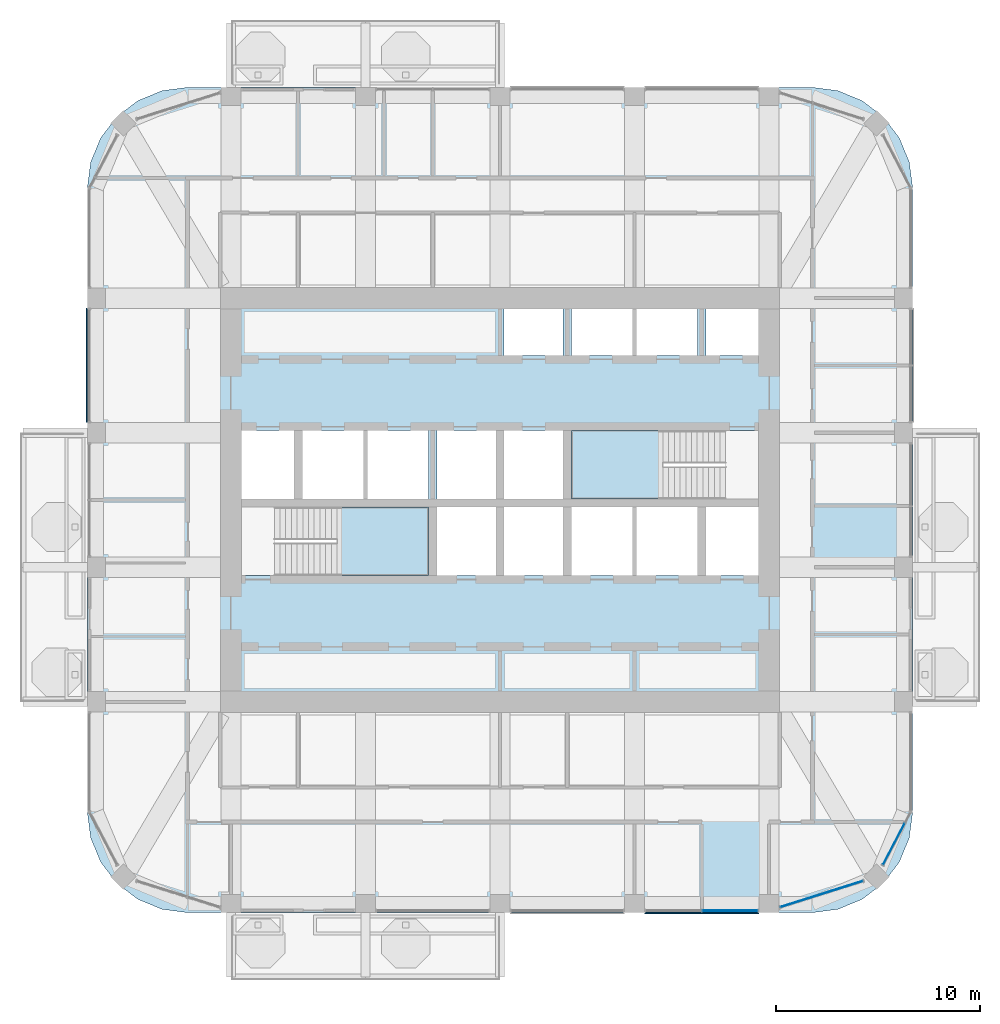
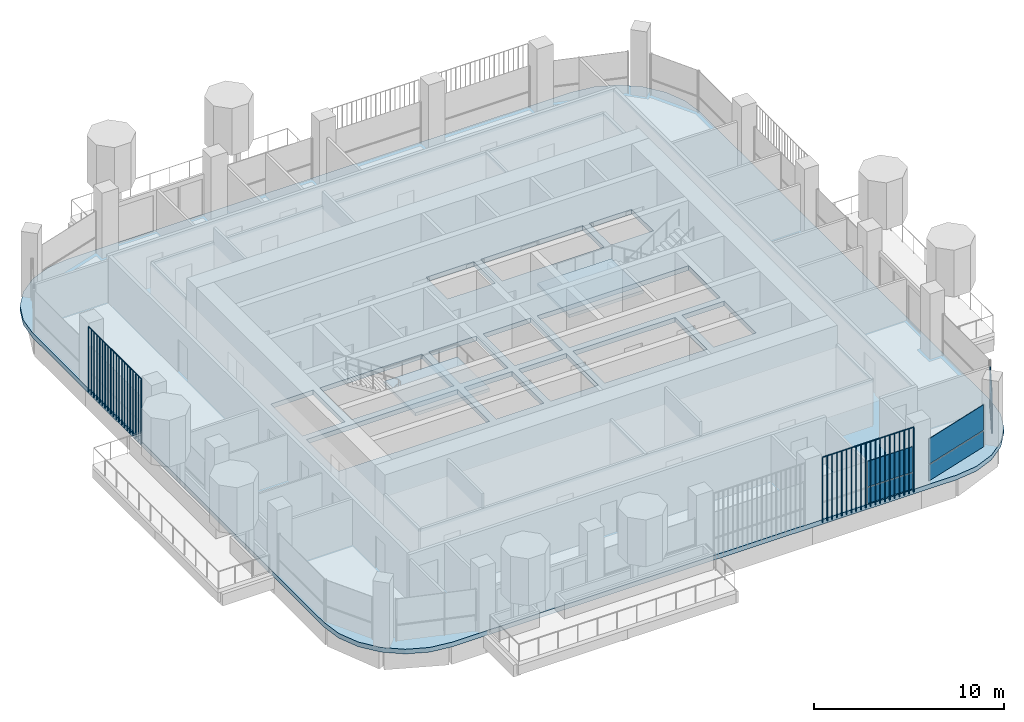
# One storey, part 9 of 20: 8 plates, 3 slabs, 5 elements without a shape of their own.
"""IFC4 building model written with IfcOpenShell, lengths in metres."""

import ifcopenshell
import ifcopenshell.guid

model = None  # the IFC model being written
_history = None  # IfcOwnerHistory: only IFC2X3 demands one
_inside = {}  # id of a spatial element -> (the spatial element, [elements in it])
_under = {}  # id of a project, library or spatial element -> (it, [spatial elements below it])
_declared = {}  # id of a project -> (the project, [libraries it declares])
_typed = {}  # id of a type object -> (the type object, [elements of that type])
_made_of = {}  # id of a material, layer set ... -> (it, [elements and type objects made of it])


def new_model(schema):
    """Start an empty IFC model of exactly this schema.

    Asked for "IFC4X3", IfcOpenShell would pick the latest addendum, in which some entities
    have other attributes; the version numbers below select the first issue.
    IFC2X3 requires an IfcOwnerHistory on every rooted entity: one is made here for all.
    """
    global model, _history
    if schema == "IFC4X3":
        model = ifcopenshell.file(schema_version=(4, 3, 0, 0))
    else:
        model = ifcopenshell.file(schema=schema)
    _inside.clear()
    _under.clear()
    _declared.clear()
    _typed.clear()
    _made_of.clear()
    _history = None
    if model.schema == "IFC2X3":
        org = make("IfcOrganization", Name="unknown")
        user = make(
            "IfcPersonAndOrganization",
            ThePerson=make("IfcPerson", FamilyName="unknown"),
            TheOrganization=org,
        )
        app = make(
            "IfcApplication",
            ApplicationDeveloper=org,
            Version="unknown",
            ApplicationFullName="unknown",
            ApplicationIdentifier="unknown",
        )
        _history = make(
            "IfcOwnerHistory",
            OwningUser=user,
            OwningApplication=app,
            ChangeAction="ADDED",
            CreationDate=0,
        )
    return model


def make(cls, **values):
    """One entity of the class cls with the attributes given. An attribute that is None is left unset."""
    return model.create_entity(
        cls, **{name: value for name, value in values.items() if value is not None}
    )


def rooted(cls, **values):
    """An entity with a GlobalId (a new one), such as an element, a storey or a relation."""
    return make(cls, GlobalId=ifcopenshell.guid.new(), OwnerHistory=_history, **values)


def si_unit(unit_type, name, prefix=None):
    """IfcSIUnit, for example si_unit("LENGTHUNIT", "METRE", prefix="MILLI")."""
    return make("IfcSIUnit", UnitType=unit_type, Prefix=prefix, Name=name)


def assignment(units):
    """IfcUnitAssignment: the units of a project."""
    return None if units is None else make("IfcUnitAssignment", Units=units)


def point(xyz):
    """IfcCartesianPoint."""
    return None if xyz is None else make("IfcCartesianPoint", Coordinates=xyz)


def direction(xyz):
    """IfcDirection."""
    return None if xyz is None else make("IfcDirection", DirectionRatios=xyz)


def frame(location, z_axis=None, x_axis=None):
    """IfcAxis2Placement3D, a coordinate frame: its origin and axes. An axis left out is left unset."""
    return make(
        "IfcAxis2Placement3D",
        Location=point(location),
        Axis=direction(z_axis),
        RefDirection=direction(x_axis),
    )


def frame_2d(location, x_axis=None):
    """IfcAxis2Placement2D, a coordinate frame in the plane: its origin and x axis."""
    return make(
        "IfcAxis2Placement2D", Location=point(location), RefDirection=direction(x_axis)
    )


def origin():
    """The frame at (0, 0, 0) with its axes left unset."""
    return frame((0.0, 0.0, 0.0))


def origin_2d():
    """The frame at (0, 0) in the plane with its x axis left unset."""
    return frame_2d((0.0, 0.0))


def place(relative_to, where):
    """IfcLocalPlacement: puts the frame where relative to a parent placement (None: the world)."""
    return make(
        "IfcLocalPlacement", PlacementRelTo=relative_to, RelativePlacement=where
    )


def context(
    kind, dimensions, precision=None, world=None, true_north=None, identifier=None
):
    """IfcGeometricRepresentationContext, for example the 3D "Model" context."""
    return make(
        "IfcGeometricRepresentationContext",
        ContextIdentifier=identifier,
        ContextType=kind,
        CoordinateSpaceDimension=dimensions,
        Precision=precision,
        WorldCoordinateSystem=world,
        TrueNorth=true_north,
    )


def subcontext(parent, identifier, kind, view, scale=None):
    """IfcGeometricRepresentationSubContext, for example "Body" below "Model"."""
    return make(
        "IfcGeometricRepresentationSubContext",
        ContextIdentifier=identifier,
        ContextType=kind,
        ParentContext=parent,
        TargetScale=scale,
        TargetView=view,
    )


def project(units=None, contexts=None):
    """IfcProject with its units and contexts."""
    return rooted(
        "IfcProject",
        Name="project",
        RepresentationContexts=contexts,
        UnitsInContext=assignment(units),
    )


def spatial(cls, under=None, at=None, **own):
    """A site, building, storey or space (cls), placed at a placement, below another one or the project."""
    s = rooted(cls, ObjectPlacement=at, **own)
    if under is not None:
        _under.setdefault(under.id(), (under, []))[1].append(s)
    return s


def polyline(points):
    """IfcPolyline through the points."""
    return make("IfcPolyline", Points=[point(p) for p in points])


def profile(cls, at=None, kind="AREA", **sizes):
    """A parametric profile (cls). Its sizes go by their IFC names, for example OverallWidth=200.0."""
    return make(cls, ProfileType=kind, Position=at, **sizes)


def rectangle(**sizes):
    """IfcRectangleProfileDef."""
    return profile("IfcRectangleProfileDef", **sizes)


def outline(outer, holes=None, kind="AREA"):
    """IfcArbitraryClosedProfileDef: a profile drawn as a closed curve; with holes, ...WithVoids."""
    if holes is None:
        return make("IfcArbitraryClosedProfileDef", ProfileType=kind, OuterCurve=outer)
    return make(
        "IfcArbitraryProfileDefWithVoids",
        ProfileType=kind,
        OuterCurve=outer,
        InnerCurves=holes,
    )


def extrude(swept, where, along, depth):
    """IfcExtrudedAreaSolid: the profile swept, set in the frame where, extruded along a direction by depth."""
    return make(
        "IfcExtrudedAreaSolid",
        SweptArea=swept,
        Position=where,
        ExtrudedDirection=direction(along),
        Depth=depth,
    )


def shape(context_of_items, identifier, shape_type, items):
    """IfcShapeRepresentation: the items that make up one representation, for example the "Body"."""
    return make(
        "IfcShapeRepresentation",
        ContextOfItems=context_of_items,
        RepresentationIdentifier=identifier,
        RepresentationType=shape_type,
        Items=items,
    )


def material(Name=None, Category=None):
    """IfcMaterial."""
    return make("IfcMaterial", Name=Name, Category=Category)


def layer(
    of_material, thickness, ventilated=None, Name=None, Category=None, Priority=None
):
    """IfcMaterialLayer: one layer of a wall or slab, of a material (None: an air gap)."""
    return make(
        "IfcMaterialLayer",
        Material=of_material,
        LayerThickness=thickness,
        IsVentilated=ventilated,
        Name=Name,
        Category=Category,
        Priority=Priority,
    )


def layer_set(layers, Name=None):
    """IfcMaterialLayerSet."""
    return make("IfcMaterialLayerSet", MaterialLayers=layers, LayerSetName=Name)


def made_of(thing, what):
    """Note that an element or type object is made of a material, layer set ...; save() writes the relation."""
    if what is not None:
        _made_of.setdefault(what.id(), (what, []))[1].append(thing)
    return thing


def type_object(cls, material=None, **own):
    """A type object (cls), such as IfcWallType, which elements share."""
    return made_of(rooted(cls, **own), material)


def element(
    cls,
    number,
    at=None,
    inside=None,
    cuts=None,
    type_object=None,
    material=None,
    context=None,
    identifier="Body",
    shape_type=None,
    held_by="IfcProductDefinitionShape",
    body=None,
    shapes=None,
    **own,
):
    """One element of the class cls, such as IfcWall. Its Tag is "e" and its number.

    at: its placement. inside: the storey or other place that contains it. cuts: it is an
    opening in that element (IfcRelVoidsElement). A single representation is given by context,
    identifier, shape_type and body (its items); several are given by shapes. held_by: the class
    of the entity that holds the representations. save() writes the other relations.
    """
    e = rooted(cls, Tag="e%d" % number, ObjectPlacement=at, **own)
    if body is not None:
        shapes = [shape(context, identifier, shape_type, body)]
    if shapes is not None:
        e.Representation = make(held_by, Representations=shapes)
    if inside is not None:
        _inside.setdefault(inside.id(), (inside, []))[1].append(e)
    if cuts is not None:
        rooted(
            "IfcRelVoidsElement", RelatingBuildingElement=cuts, RelatedOpeningElement=e
        )
    if type_object is not None:
        _typed.setdefault(type_object.id(), (type_object, []))[1].append(e)
    return made_of(e, material)


def aggregate(whole, parts):
    """IfcRelAggregates: a whole, such as a stair, and the parts it consists of."""
    return rooted("IfcRelAggregates", RelatingObject=whole, RelatedObjects=parts)


def save(model, path):
    """Write the relations noted so far, then the file.

    IfcRelAggregates (storeys below a building ...), IfcRelContainedInSpatialStructure (elements
    in a storey), IfcRelDefinesByType, IfcRelAssociatesMaterial and IfcRelDeclares: one each for
    every whole, place, type object, material and project.
    """
    for whole, parts in _under.values():
        aggregate(whole, parts)
    for where, things in _inside.values():
        rooted(
            "IfcRelContainedInSpatialStructure",
            RelatedElements=things,
            RelatingStructure=where,
        )
    for kind, things in _typed.values():
        rooted("IfcRelDefinesByType", RelatedObjects=things, RelatingType=kind)
    for what, things in _made_of.values():
        rooted("IfcRelAssociatesMaterial", RelatedObjects=things, RelatingMaterial=what)
    for by, libraries in _declared.values():
        rooted("IfcRelDeclares", RelatingContext=by, RelatedDefinitions=libraries)
    model.write(path)


model = new_model("IFC4")

# Units and contexts
model_context = context("Model", 3, precision=1e-05, world=origin(), true_north=direction((0.0, 1.0)))
body_context = subcontext(model_context, "Body", "Model", "MODEL_VIEW")
ifc_project = project(units=[si_unit("LENGTHUNIT", "METRE"), si_unit("AREAUNIT", "SQUARE_METRE"), si_unit("VOLUMEUNIT", "CUBIC_METRE"), si_unit("PLANEANGLEUNIT", "RADIAN"), si_unit("MASSUNIT", "GRAM", prefix="KILO")], contexts=[model_context])

# Site, building, storey
site_placement = place(None, origin())
site = spatial("IfcSite", under=ifc_project, at=site_placement, CompositionType="ELEMENT")
building_placement = place(site_placement, origin())
building = spatial("IfcBuilding", under=site, at=building_placement, Name="Cobogo Forest Laboratory Tower", CompositionType="ELEMENT")
storey_placement = place(building_placement, frame((0.0, 0.0, 279.60009765625)))
storey = spatial("IfcBuildingStorey", under=building, at=storey_placement, Name="L64", CompositionType="ELEMENT", Elevation=279.60009765625)

# Slab
ifc_material_1 = material(Name="Concrete HA-40 (C40/50)", Category="concrete")
ifc_layer_1 = layer(ifc_material_1, 0.300048828125)
ifc_layer_set_1 = layer_set([ifc_layer_1], Name="Floor slab 300")
slab_type_1 = type_object("IfcSlabType", Name="Floor slab 300", PredefinedType="FLOOR", material=ifc_layer_set_1)
slab_1_placement = place(storey_placement, frame((0.0, 0.0, -0.300048828125)))
element("IfcSlab", 1, at=slab_1_placement, inside=storey, type_object=slab_type_1, Name="L64 floor slab", PredefinedType="FLOOR", context=body_context, shape_type="SweptSolid", body=[
    extrude(outline(polyline([(41.699951171875, 2.85009765625), (42.981201171875, 3.0185546875), (44.175048828125, 3.51318359375), (45.2001953125, 4.2998046875), (45.98681640625, 5.324951171875), (46.4814453125, 6.518798828125), (46.64990234375, 7.800048828125), (46.64990234375, 38.39990234375), (46.4814453125, 39.68115234375), (45.98681640625, 40.875), (45.2001953125, 41.900146484375), (44.175048828125, 42.686767578125), (42.981201171875, 43.181396484375), (41.699951171875, 43.35009765625), (11.10009765625, 43.35009765625), (9.81884765625, 43.181396484375), (8.625, 42.686767578125), (7.599853515625, 41.900146484375), (6.813232421875, 40.875), (6.318603515625, 39.68115234375), (6.14990234375, 38.39990234375), (6.14990234375, 7.800048828125), (6.318603515625, 6.518798828125), (6.813232421875, 5.324951171875), (7.599853515625, 4.2998046875), (8.625, 3.51318359375), (9.81884765625, 3.0185546875), (11.10009765625, 2.85009765625), (41.699951171875, 2.85009765625)]), holes=[polyline([(22.89990234375, 19.39990234375), (13.72509765625, 19.39990234375), (13.72509765625, 22.75), (22.89990234375, 22.75), (22.89990234375, 19.39990234375)]), polyline([(26.199951171875, 19.39990234375), (23.300048828125, 19.39990234375), (23.300048828125, 22.75), (26.199951171875, 22.75), (26.199951171875, 19.39990234375)]), polyline([(29.5, 19.39990234375), (26.60009765625, 19.39990234375), (26.60009765625, 22.75), (29.5, 22.75), (29.5, 19.39990234375)]), polyline([(36.10009765625, 22.75), (36.10009765625, 19.39990234375), (29.89990234375, 19.39990234375), (29.89990234375, 22.75), (36.10009765625, 22.75)]), polyline([(39.074951171875, 19.39990234375), (36.5, 19.39990234375), (36.5, 22.75), (39.074951171875, 22.75), (39.074951171875, 19.39990234375)]), polyline([(16.300048828125, 23.14990234375), (13.72509765625, 23.14990234375), (13.72509765625, 26.5), (16.300048828125, 26.5), (16.300048828125, 23.14990234375)]), polyline([(22.89990234375, 26.5), (22.89990234375, 23.14990234375), (16.699951171875, 23.14990234375), (16.699951171875, 26.5), (22.89990234375, 26.5)]), polyline([(26.199951171875, 23.14990234375), (23.300048828125, 23.14990234375), (23.300048828125, 26.5), (26.199951171875, 26.5), (26.199951171875, 23.14990234375)]), polyline([(29.5, 23.14990234375), (26.60009765625, 23.14990234375), (26.60009765625, 26.5), (29.5, 26.5), (29.5, 23.14990234375)]), polyline([(39.074951171875, 23.14990234375), (29.89990234375, 23.14990234375), (29.89990234375, 26.5), (39.074951171875, 26.5), (39.074951171875, 23.14990234375)]), polyline([(29.5, 30.199951171875), (26.60009765625, 30.199951171875), (26.60009765625, 32.47509765625), (29.5, 32.47509765625), (29.5, 30.199951171875)]), polyline([(36.10009765625, 32.47509765625), (36.10009765625, 30.199951171875), (29.89990234375, 30.199951171875), (29.89990234375, 32.47509765625), (36.10009765625, 32.47509765625)]), polyline([(39.074951171875, 30.199951171875), (36.5, 30.199951171875), (36.5, 32.47509765625), (39.074951171875, 32.47509765625), (39.074951171875, 30.199951171875)])]), origin(), (0.0, 0.0, 1.0), 0.300048828125),
])

# Curtain wall, plates
ifc_material_2 = material(Name="Aluminium curtain wall", Category="aluminium")
curtain_wall_type = type_object("IfcCurtainWallType", Name="CW-2 unitised curtain wall, solar control glazing, laboratory floors zones C and D", PredefinedType="USERDEFINED", material=ifc_material_2)
curtain_wall_1_placement = place(storey_placement, origin())
curtain_wall_1 = element("IfcCurtainWall", 2, at=curtain_wall_1_placement, inside=storey, type_object=curtain_wall_type, Name="Curtain wall 04 L64", ObjectType="UNITISED CURTAIN WALL", PredefinedType="USERDEFINED")
ifc_material_3 = material(Name="Solar control insulated glass", Category="glass")
ifc_layer_2 = layer(ifc_material_3, 0.031982421875)
ifc_layer_set_2 = layer_set([ifc_layer_2], Name="GP-2 solar control glass unit 32")
plate_type_1 = type_object("IfcPlateType", Name="GP-2 solar control glass unit 32", PredefinedType="CURTAIN_PANEL", material=ifc_layer_set_2)
plate_1_placement = place(storey_placement, frame((37.68505859375, 2.949951171875, 0.0), z_axis=(0.0, 0.0, 1.0), x_axis=(1.0, 0.0, 0.0)))
plate_1 = element("IfcPlate", 3, at=plate_1_placement, type_object=plate_type_1, Name="CW-2 panel 2.1", PredefinedType="CURTAIN_PANEL", context=body_context, shape_type="SweptSolid", body=[
    extrude(rectangle(XDim=2.7099609375, YDim=0.031982421875, at=origin_2d()), origin(), (0.0, 0.0, 1.0), 1.02001953125),
])
plate_2_placement = place(storey_placement, frame((37.68505859375, 2.949951171875, 1.079833984375), z_axis=(0.0, 0.0, 1.0), x_axis=(1.0, 0.0, 0.0)))
plate_2 = element("IfcPlate", 4, at=plate_2_placement, type_object=plate_type_1, Name="CW-2 panel 2.2", PredefinedType="CURTAIN_PANEL", context=body_context, shape_type="SweptSolid", body=[
    extrude(rectangle(XDim=2.7099609375, YDim=0.031982421875, at=origin_2d()), origin(), (0.0, 0.0, 1.0), 1.6201171875),
])
aggregate(curtain_wall_1, [plate_1, plate_2])

curtain_wall_2_placement = place(storey_placement, origin())
curtain_wall_2 = element("IfcCurtainWall", 5, at=curtain_wall_2_placement, inside=storey, type_object=curtain_wall_type, Name="Curtain wall 05 L64", ObjectType="UNITISED CURTAIN WALL", PredefinedType="USERDEFINED")
plate_3_placement = place(storey_placement, frame((42.17919921875, 3.7646484375, 0.0), z_axis=(0.0, 0.0, 1.0), x_axis=(0.953581379409, 0.301135439371, 0.0)))
plate_3 = element("IfcPlate", 6, at=plate_3_placement, type_object=plate_type_1, Name="CW-2 panel 1.1", PredefinedType="CURTAIN_PANEL", context=body_context, shape_type="SweptSolid", body=[
    extrude(rectangle(XDim=4.240966796875, YDim=0.031982421875, at=origin_2d()), origin(), (0.0, 0.0, 1.0), 1.02001953125),
])
plate_4_placement = place(storey_placement, frame((42.17919921875, 3.7646484375, 1.079833984375), z_axis=(0.0, 0.0, 1.0), x_axis=(0.953581379409, 0.301135439371, 0.0)))
plate_4 = element("IfcPlate", 7, at=plate_4_placement, type_object=plate_type_1, Name="CW-2 panel 1.2", PredefinedType="CURTAIN_PANEL", context=body_context, shape_type="SweptSolid", body=[
    extrude(rectangle(XDim=4.240966796875, YDim=0.031982421875, at=origin_2d()), origin(), (0.0, 0.0, 1.0), 1.6201171875),
])
aggregate(curtain_wall_2, [plate_3, plate_4])

curtain_wall_3_placement = place(storey_placement, origin())
curtain_wall_3 = element("IfcCurtainWall", 8, at=curtain_wall_3_placement, inside=storey, type_object=curtain_wall_type, Name="Curtain wall 06 L64", ObjectType="UNITISED CURTAIN WALL", PredefinedType="USERDEFINED")
plate_5_placement = place(storey_placement, frame((45.72314453125, 6.222900390625, 0.0), z_axis=(0.0, 0.0, 1.0), x_axis=(0.464283778337, 0.885686498245, 0.0)))
plate_5 = element("IfcPlate", 9, at=plate_5_placement, type_object=plate_type_1, Name="CW-2 panel 1.1", PredefinedType="CURTAIN_PANEL", context=body_context, shape_type="SweptSolid", body=[
    extrude(rectangle(XDim=2.28857421875, YDim=0.031982421875, at=origin_2d()), origin(), (0.0, 0.0, 1.0), 1.02001953125),
])
plate_6_placement = place(storey_placement, frame((45.72314453125, 6.222900390625, 1.079833984375), z_axis=(0.0, 0.0, 1.0), x_axis=(0.464283778337, 0.885686498245, 0.0)))
plate_6 = element("IfcPlate", 10, at=plate_6_placement, type_object=plate_type_1, Name="CW-2 panel 1.2", PredefinedType="CURTAIN_PANEL", context=body_context, shape_type="SweptSolid", body=[
    extrude(rectangle(XDim=2.28857421875, YDim=0.031982421875, at=origin_2d()), origin(), (0.0, 0.0, 1.0), 1.6201171875),
])
aggregate(curtain_wall_3, [plate_5, plate_6])

# Stair, slab
ifc_material_4 = material(Name="Precast concrete HA-40 (C40/50)", Category="concrete")
stair_type = type_object("IfcStairType", Name="ST24 exit stair 24 risers", PredefinedType="HALF_TURN_STAIR", material=ifc_material_4)
stair_1_placement = place(storey_placement, origin())
stair_1 = element("IfcStair", 11, at=stair_1_placement, inside=storey, type_object=stair_type, Name="Stair 1 L64 to L65", PredefinedType="HALF_TURN_STAIR")
ifc_layer_3 = layer(ifc_material_1, 0.199951171875)
ifc_layer_set_3 = layer_set([ifc_layer_3], Name="SL stair landing 200")
slab_type_2 = type_object("IfcSlabType", Name="SL stair landing 200", PredefinedType="LANDING", material=ifc_layer_set_3)
slab_2_placement = place(storey_placement, frame((0.0, 0.0, 1.89990234375)))
slab_2 = element("IfcSlab", 12, at=slab_2_placement, type_object=slab_type_2, Name="ST1 landing 2", PredefinedType="LANDING", context=body_context, shape_type="SweptSolid", body=[
    extrude(outline(polyline([(18.403076171875, 19.39990234375), (22.89990234375, 19.39990234375), (22.89990234375, 22.75), (18.403076171875, 22.75), (18.403076171875, 19.39990234375)])), origin(), (0.0, 0.0, 1.0), 0.199951171875),
])
aggregate(stair_1, [slab_2])

stair_2_placement = place(storey_placement, origin())
stair_2 = element("IfcStair", 13, at=stair_2_placement, inside=storey, type_object=stair_type, Name="Stair 2 L64 to L65", PredefinedType="HALF_TURN_STAIR")
slab_3_placement = place(storey_placement, frame((0.0, 0.0, 1.89990234375)))
slab_3 = element("IfcSlab", 14, at=slab_3_placement, type_object=slab_type_2, Name="ST2 landing 2", PredefinedType="LANDING", context=body_context, shape_type="SweptSolid", body=[
    extrude(outline(polyline([(29.89990234375, 23.14990234375), (34.39697265625, 23.14990234375), (34.39697265625, 26.5), (29.89990234375, 26.5), (29.89990234375, 23.14990234375)])), origin(), (0.0, 0.0, 1.0), 0.199951171875),
])
aggregate(stair_2, [slab_3])

# Plates
ifc_material_5 = material(Name="Terracotta", Category="masonry")
plate_type_2 = type_object("IfcPlateType", Name="TB1 terracotta baguette screen", PredefinedType="USERDEFINED", material=ifc_material_5)
plate_7_placement = place(storey_placement, frame((33.53125, 2.822021484375, -0.150146484375)))
element("IfcPlate", 15, at=plate_7_placement, inside=storey, type_object=plate_type_2, Name="Baguette screen S4 L64", ObjectType="BAGUETTE SCREEN", PredefinedType="USERDEFINED", context=body_context, shape_type="SweptSolid", body=[
    extrude(outline(polyline([(0.02880859375, 0.011962890625), (0.011962890625, 0.02880859375), (-0.011962890625, 0.02880859375), (-0.02880859375, 0.011962890625), (-0.02880859375, -0.011962890625), (-0.011962890625, -0.02880859375), (0.011962890625, -0.02880859375), (0.02880859375, -0.011962890625), (0.02880859375, 0.011962890625)])), frame((0.0, 0.0, 4.168701171875), z_axis=(1.0, 0.0, 0.0), x_axis=(0.0, 1.0, 0.0)), (0.0, 0.0, 1.0), 5.53759765625),
    extrude(outline(polyline([(0.02880859375, 0.011962890625), (0.011962890625, 0.02880859375), (-0.011962890625, 0.02880859375), (-0.02880859375, 0.011962890625), (-0.02880859375, -0.011962890625), (-0.011962890625, -0.02880859375), (0.011962890625, -0.02880859375), (0.02880859375, -0.011962890625), (0.02880859375, 0.011962890625)])), origin(), (0.0, 0.0, 1.0), 4.137451171875),
    extrude(outline(polyline([(0.02880859375, 0.011962890625), (0.011962890625, 0.02880859375), (-0.011962890625, 0.02880859375), (-0.02880859375, 0.011962890625), (-0.02880859375, -0.011962890625), (-0.011962890625, -0.02880859375), (0.011962890625, -0.02880859375), (0.02880859375, -0.011962890625), (0.02880859375, 0.011962890625)])), frame((0.29150390625, 0.0, 0.0)), (0.0, 0.0, 1.0), 4.137451171875),
    extrude(outline(polyline([(0.02880859375, 0.011962890625), (0.011962890625, 0.02880859375), (-0.011962890625, 0.02880859375), (-0.02880859375, 0.011962890625), (-0.02880859375, -0.011962890625), (-0.011962890625, -0.02880859375), (0.011962890625, -0.02880859375), (0.02880859375, -0.011962890625), (0.02880859375, 0.011962890625)])), frame((0.5830078125, 0.0, 0.0)), (0.0, 0.0, 1.0), 4.137451171875),
    extrude(outline(polyline([(0.02880859375, 0.011962890625), (0.011962890625, 0.02880859375), (-0.011962890625, 0.02880859375), (-0.02880859375, 0.011962890625), (-0.02880859375, -0.011962890625), (-0.011962890625, -0.02880859375), (0.011962890625, -0.02880859375), (0.02880859375, -0.011962890625), (0.02880859375, 0.011962890625)])), frame((0.874267578125, 0.0, 0.0)), (0.0, 0.0, 1.0), 4.137451171875),
    extrude(outline(polyline([(0.02880859375, 0.011962890625), (0.011962890625, 0.02880859375), (-0.011962890625, 0.02880859375), (-0.02880859375, 0.011962890625), (-0.02880859375, -0.011962890625), (-0.011962890625, -0.02880859375), (0.011962890625, -0.02880859375), (0.02880859375, -0.011962890625), (0.02880859375, 0.011962890625)])), frame((1.165771484375, 0.0, 0.0)), (0.0, 0.0, 1.0), 4.137451171875),
    extrude(outline(polyline([(0.02880859375, 0.011962890625), (0.011962890625, 0.02880859375), (-0.011962890625, 0.02880859375), (-0.02880859375, 0.011962890625), (-0.02880859375, -0.011962890625), (-0.011962890625, -0.02880859375), (0.011962890625, -0.02880859375), (0.02880859375, -0.011962890625), (0.02880859375, 0.011962890625)])), frame((1.457275390625, 0.0, 0.0)), (0.0, 0.0, 1.0), 4.137451171875),
    extrude(outline(polyline([(0.02880859375, 0.011962890625), (0.011962890625, 0.02880859375), (-0.011962890625, 0.02880859375), (-0.02880859375, 0.011962890625), (-0.02880859375, -0.011962890625), (-0.011962890625, -0.02880859375), (0.011962890625, -0.02880859375), (0.02880859375, -0.011962890625), (0.02880859375, 0.011962890625)])), frame((1.748779296875, 0.0, 0.0)), (0.0, 0.0, 1.0), 4.137451171875),
    extrude(outline(polyline([(0.02880859375, 0.011962890625), (0.011962890625, 0.02880859375), (-0.011962890625, 0.02880859375), (-0.02880859375, 0.011962890625), (-0.02880859375, -0.011962890625), (-0.011962890625, -0.02880859375), (0.011962890625, -0.02880859375), (0.02880859375, -0.011962890625), (0.02880859375, 0.011962890625)])), frame((2.040283203125, 0.0, 0.0)), (0.0, 0.0, 1.0), 4.137451171875),
    extrude(outline(polyline([(0.02880859375, 0.011962890625), (0.011962890625, 0.02880859375), (-0.011962890625, 0.02880859375), (-0.02880859375, 0.011962890625), (-0.02880859375, -0.011962890625), (-0.011962890625, -0.02880859375), (0.011962890625, -0.02880859375), (0.02880859375, -0.011962890625), (0.02880859375, 0.011962890625)])), frame((2.33154296875, 0.0, 0.0)), (0.0, 0.0, 1.0), 4.137451171875),
    extrude(outline(polyline([(0.02880859375, 0.011962890625), (0.011962890625, 0.02880859375), (-0.011962890625, 0.02880859375), (-0.02880859375, 0.011962890625), (-0.02880859375, -0.011962890625), (-0.011962890625, -0.02880859375), (0.011962890625, -0.02880859375), (0.02880859375, -0.011962890625), (0.02880859375, 0.011962890625)])), frame((2.623046875, 0.0, 0.0)), (0.0, 0.0, 1.0), 4.137451171875),
    extrude(outline(polyline([(0.02880859375, 0.011962890625), (0.011962890625, 0.02880859375), (-0.011962890625, 0.02880859375), (-0.02880859375, 0.011962890625), (-0.02880859375, -0.011962890625), (-0.011962890625, -0.02880859375), (0.011962890625, -0.02880859375), (0.02880859375, -0.011962890625), (0.02880859375, 0.011962890625)])), frame((2.91455078125, 0.0, 0.0)), (0.0, 0.0, 1.0), 4.137451171875),
    extrude(outline(polyline([(0.02880859375, 0.011962890625), (0.011962890625, 0.02880859375), (-0.011962890625, 0.02880859375), (-0.02880859375, 0.011962890625), (-0.02880859375, -0.011962890625), (-0.011962890625, -0.02880859375), (0.011962890625, -0.02880859375), (0.02880859375, -0.011962890625), (0.02880859375, 0.011962890625)])), frame((3.2060546875, 0.0, 0.0)), (0.0, 0.0, 1.0), 4.137451171875),
    extrude(outline(polyline([(0.02880859375, 0.011962890625), (0.011962890625, 0.02880859375), (-0.011962890625, 0.02880859375), (-0.02880859375, 0.011962890625), (-0.02880859375, -0.011962890625), (-0.011962890625, -0.02880859375), (0.011962890625, -0.02880859375), (0.02880859375, -0.011962890625), (0.02880859375, 0.011962890625)])), frame((3.497314453125, 0.0, 0.0)), (0.0, 0.0, 1.0), 4.137451171875),
    extrude(outline(polyline([(0.02880859375, 0.011962890625), (0.011962890625, 0.02880859375), (-0.011962890625, 0.02880859375), (-0.02880859375, 0.011962890625), (-0.02880859375, -0.011962890625), (-0.011962890625, -0.02880859375), (0.011962890625, -0.02880859375), (0.02880859375, -0.011962890625), (0.02880859375, 0.011962890625)])), frame((3.788818359375, 0.0, 0.0)), (0.0, 0.0, 1.0), 4.137451171875),
    extrude(outline(polyline([(0.02880859375, 0.011962890625), (0.011962890625, 0.02880859375), (-0.011962890625, 0.02880859375), (-0.02880859375, 0.011962890625), (-0.02880859375, -0.011962890625), (-0.011962890625, -0.02880859375), (0.011962890625, -0.02880859375), (0.02880859375, -0.011962890625), (0.02880859375, 0.011962890625)])), frame((4.080322265625, 0.0, 0.0)), (0.0, 0.0, 1.0), 4.137451171875),
    extrude(outline(polyline([(0.02880859375, 0.011962890625), (0.011962890625, 0.02880859375), (-0.011962890625, 0.02880859375), (-0.02880859375, 0.011962890625), (-0.02880859375, -0.011962890625), (-0.011962890625, -0.02880859375), (0.011962890625, -0.02880859375), (0.02880859375, -0.011962890625), (0.02880859375, 0.011962890625)])), frame((4.371826171875, 0.0, 0.0)), (0.0, 0.0, 1.0), 4.137451171875),
    extrude(outline(polyline([(0.02880859375, 0.011962890625), (0.011962890625, 0.02880859375), (-0.011962890625, 0.02880859375), (-0.02880859375, 0.011962890625), (-0.02880859375, -0.011962890625), (-0.011962890625, -0.02880859375), (0.011962890625, -0.02880859375), (0.02880859375, -0.011962890625), (0.02880859375, 0.011962890625)])), frame((4.663330078125, 0.0, 0.0)), (0.0, 0.0, 1.0), 4.137451171875),
    extrude(outline(polyline([(0.02880859375, 0.011962890625), (0.011962890625, 0.02880859375), (-0.011962890625, 0.02880859375), (-0.02880859375, 0.011962890625), (-0.02880859375, -0.011962890625), (-0.011962890625, -0.02880859375), (0.011962890625, -0.02880859375), (0.02880859375, -0.011962890625), (0.02880859375, 0.011962890625)])), frame((4.95458984375, 0.0, 0.0)), (0.0, 0.0, 1.0), 4.137451171875),
    extrude(outline(polyline([(0.02880859375, 0.011962890625), (0.011962890625, 0.02880859375), (-0.011962890625, 0.02880859375), (-0.02880859375, 0.011962890625), (-0.02880859375, -0.011962890625), (-0.011962890625, -0.02880859375), (0.011962890625, -0.02880859375), (0.02880859375, -0.011962890625), (0.02880859375, 0.011962890625)])), frame((5.24609375, 0.0, 0.0)), (0.0, 0.0, 1.0), 4.137451171875),
    extrude(outline(polyline([(0.02880859375, 0.011962890625), (0.011962890625, 0.02880859375), (-0.011962890625, 0.02880859375), (-0.02880859375, 0.011962890625), (-0.02880859375, -0.011962890625), (-0.011962890625, -0.02880859375), (0.011962890625, -0.02880859375), (0.02880859375, -0.011962890625), (0.02880859375, 0.011962890625)])), frame((5.53759765625, 0.0, 0.0)), (0.0, 0.0, 1.0), 4.137451171875),
])
plate_8_placement = place(storey_placement, frame((6.1220703125, 26.93115234375, -0.150146484375)))
element("IfcPlate", 16, at=plate_8_placement, inside=storey, type_object=plate_type_2, Name="Baguette screen W3 L64", ObjectType="BAGUETTE SCREEN", PredefinedType="USERDEFINED", context=body_context, shape_type="SweptSolid", body=[
    extrude(outline(polyline([(0.02880859375, 0.011962890625), (0.011962890625, 0.02880859375), (-0.011962890625, 0.02880859375), (-0.02880859375, 0.011962890625), (-0.02880859375, -0.011962890625), (-0.011962890625, -0.02880859375), (0.011962890625, -0.02880859375), (0.02880859375, -0.011962890625), (0.02880859375, 0.011962890625)])), frame((0.0, 0.0, 4.168701171875), z_axis=(0.0, 1.0, 0.0), x_axis=(-1.0, 0.0, 0.0)), (0.0, 0.0, 1.0), 5.53759765625),
    extrude(outline(polyline([(0.02880859375, 0.011962890625), (0.011962890625, 0.02880859375), (-0.011962890625, 0.02880859375), (-0.02880859375, 0.011962890625), (-0.02880859375, -0.011962890625), (-0.011962890625, -0.02880859375), (0.011962890625, -0.02880859375), (0.02880859375, -0.011962890625), (0.02880859375, 0.011962890625)])), origin(), (0.0, 0.0, 1.0), 4.137451171875),
    extrude(outline(polyline([(0.02880859375, 0.011962890625), (0.011962890625, 0.02880859375), (-0.011962890625, 0.02880859375), (-0.02880859375, 0.011962890625), (-0.02880859375, -0.011962890625), (-0.011962890625, -0.02880859375), (0.011962890625, -0.02880859375), (0.02880859375, -0.011962890625), (0.02880859375, 0.011962890625)])), frame((0.0, 0.29150390625, 0.0)), (0.0, 0.0, 1.0), 4.137451171875),
    extrude(outline(polyline([(0.02880859375, 0.011962890625), (0.011962890625, 0.02880859375), (-0.011962890625, 0.02880859375), (-0.02880859375, 0.011962890625), (-0.02880859375, -0.011962890625), (-0.011962890625, -0.02880859375), (0.011962890625, -0.02880859375), (0.02880859375, -0.011962890625), (0.02880859375, 0.011962890625)])), frame((0.0, 0.5830078125, 0.0)), (0.0, 0.0, 1.0), 4.137451171875),
    extrude(outline(polyline([(0.02880859375, 0.011962890625), (0.011962890625, 0.02880859375), (-0.011962890625, 0.02880859375), (-0.02880859375, 0.011962890625), (-0.02880859375, -0.011962890625), (-0.011962890625, -0.02880859375), (0.011962890625, -0.02880859375), (0.02880859375, -0.011962890625), (0.02880859375, 0.011962890625)])), frame((0.0, 0.874267578125, 0.0)), (0.0, 0.0, 1.0), 4.137451171875),
    extrude(outline(polyline([(0.02880859375, 0.011962890625), (0.011962890625, 0.02880859375), (-0.011962890625, 0.02880859375), (-0.02880859375, 0.011962890625), (-0.02880859375, -0.011962890625), (-0.011962890625, -0.02880859375), (0.011962890625, -0.02880859375), (0.02880859375, -0.011962890625), (0.02880859375, 0.011962890625)])), frame((0.0, 1.165771484375, 0.0)), (0.0, 0.0, 1.0), 4.137451171875),
    extrude(outline(polyline([(0.02880859375, 0.011962890625), (0.011962890625, 0.02880859375), (-0.011962890625, 0.02880859375), (-0.02880859375, 0.011962890625), (-0.02880859375, -0.011962890625), (-0.011962890625, -0.02880859375), (0.011962890625, -0.02880859375), (0.02880859375, -0.011962890625), (0.02880859375, 0.011962890625)])), frame((0.0, 1.457275390625, 0.0)), (0.0, 0.0, 1.0), 4.137451171875),
    extrude(outline(polyline([(0.02880859375, 0.011962890625), (0.011962890625, 0.02880859375), (-0.011962890625, 0.02880859375), (-0.02880859375, 0.011962890625), (-0.02880859375, -0.011962890625), (-0.011962890625, -0.02880859375), (0.011962890625, -0.02880859375), (0.02880859375, -0.011962890625), (0.02880859375, 0.011962890625)])), frame((0.0, 1.748779296875, 0.0)), (0.0, 0.0, 1.0), 4.137451171875),
    extrude(outline(polyline([(0.02880859375, 0.011962890625), (0.011962890625, 0.02880859375), (-0.011962890625, 0.02880859375), (-0.02880859375, 0.011962890625), (-0.02880859375, -0.011962890625), (-0.011962890625, -0.02880859375), (0.011962890625, -0.02880859375), (0.02880859375, -0.011962890625), (0.02880859375, 0.011962890625)])), frame((0.0, 2.040283203125, 0.0)), (0.0, 0.0, 1.0), 4.137451171875),
    extrude(outline(polyline([(0.02880859375, 0.011962890625), (0.011962890625, 0.02880859375), (-0.011962890625, 0.02880859375), (-0.02880859375, 0.011962890625), (-0.02880859375, -0.011962890625), (-0.011962890625, -0.02880859375), (0.011962890625, -0.02880859375), (0.02880859375, -0.011962890625), (0.02880859375, 0.011962890625)])), frame((0.0, 2.33154296875, 0.0)), (0.0, 0.0, 1.0), 4.137451171875),
    extrude(outline(polyline([(0.02880859375, 0.011962890625), (0.011962890625, 0.02880859375), (-0.011962890625, 0.02880859375), (-0.02880859375, 0.011962890625), (-0.02880859375, -0.011962890625), (-0.011962890625, -0.02880859375), (0.011962890625, -0.02880859375), (0.02880859375, -0.011962890625), (0.02880859375, 0.011962890625)])), frame((0.0, 2.623046875, 0.0)), (0.0, 0.0, 1.0), 4.137451171875),
    extrude(outline(polyline([(0.02880859375, 0.011962890625), (0.011962890625, 0.02880859375), (-0.011962890625, 0.02880859375), (-0.02880859375, 0.011962890625), (-0.02880859375, -0.011962890625), (-0.011962890625, -0.02880859375), (0.011962890625, -0.02880859375), (0.02880859375, -0.011962890625), (0.02880859375, 0.011962890625)])), frame((0.0, 2.91455078125, 0.0)), (0.0, 0.0, 1.0), 4.137451171875),
    extrude(outline(polyline([(0.02880859375, 0.011962890625), (0.011962890625, 0.02880859375), (-0.011962890625, 0.02880859375), (-0.02880859375, 0.011962890625), (-0.02880859375, -0.011962890625), (-0.011962890625, -0.02880859375), (0.011962890625, -0.02880859375), (0.02880859375, -0.011962890625), (0.02880859375, 0.011962890625)])), frame((0.0, 3.2060546875, 0.0)), (0.0, 0.0, 1.0), 4.137451171875),
    extrude(outline(polyline([(0.02880859375, 0.011962890625), (0.011962890625, 0.02880859375), (-0.011962890625, 0.02880859375), (-0.02880859375, 0.011962890625), (-0.02880859375, -0.011962890625), (-0.011962890625, -0.02880859375), (0.011962890625, -0.02880859375), (0.02880859375, -0.011962890625), (0.02880859375, 0.011962890625)])), frame((0.0, 3.497314453125, 0.0)), (0.0, 0.0, 1.0), 4.137451171875),
    extrude(outline(polyline([(0.02880859375, 0.011962890625), (0.011962890625, 0.02880859375), (-0.011962890625, 0.02880859375), (-0.02880859375, 0.011962890625), (-0.02880859375, -0.011962890625), (-0.011962890625, -0.02880859375), (0.011962890625, -0.02880859375), (0.02880859375, -0.011962890625), (0.02880859375, 0.011962890625)])), frame((0.0, 3.788818359375, 0.0)), (0.0, 0.0, 1.0), 4.137451171875),
    extrude(outline(polyline([(0.02880859375, 0.011962890625), (0.011962890625, 0.02880859375), (-0.011962890625, 0.02880859375), (-0.02880859375, 0.011962890625), (-0.02880859375, -0.011962890625), (-0.011962890625, -0.02880859375), (0.011962890625, -0.02880859375), (0.02880859375, -0.011962890625), (0.02880859375, 0.011962890625)])), frame((0.0, 4.080322265625, 0.0)), (0.0, 0.0, 1.0), 4.137451171875),
    extrude(outline(polyline([(0.02880859375, 0.011962890625), (0.011962890625, 0.02880859375), (-0.011962890625, 0.02880859375), (-0.02880859375, 0.011962890625), (-0.02880859375, -0.011962890625), (-0.011962890625, -0.02880859375), (0.011962890625, -0.02880859375), (0.02880859375, -0.011962890625), (0.02880859375, 0.011962890625)])), frame((0.0, 4.371826171875, 0.0)), (0.0, 0.0, 1.0), 4.137451171875),
    extrude(outline(polyline([(0.02880859375, 0.011962890625), (0.011962890625, 0.02880859375), (-0.011962890625, 0.02880859375), (-0.02880859375, 0.011962890625), (-0.02880859375, -0.011962890625), (-0.011962890625, -0.02880859375), (0.011962890625, -0.02880859375), (0.02880859375, -0.011962890625), (0.02880859375, 0.011962890625)])), frame((0.0, 4.663330078125, 0.0)), (0.0, 0.0, 1.0), 4.137451171875),
    extrude(outline(polyline([(0.02880859375, 0.011962890625), (0.011962890625, 0.02880859375), (-0.011962890625, 0.02880859375), (-0.02880859375, 0.011962890625), (-0.02880859375, -0.011962890625), (-0.011962890625, -0.02880859375), (0.011962890625, -0.02880859375), (0.02880859375, -0.011962890625), (0.02880859375, 0.011962890625)])), frame((0.0, 4.95458984375, 0.0)), (0.0, 0.0, 1.0), 4.137451171875),
    extrude(outline(polyline([(0.02880859375, 0.011962890625), (0.011962890625, 0.02880859375), (-0.011962890625, 0.02880859375), (-0.02880859375, 0.011962890625), (-0.02880859375, -0.011962890625), (-0.011962890625, -0.02880859375), (0.011962890625, -0.02880859375), (0.02880859375, -0.011962890625), (0.02880859375, 0.011962890625)])), frame((0.0, 5.24609375, 0.0)), (0.0, 0.0, 1.0), 4.137451171875),
    extrude(outline(polyline([(0.02880859375, 0.011962890625), (0.011962890625, 0.02880859375), (-0.011962890625, 0.02880859375), (-0.02880859375, 0.011962890625), (-0.02880859375, -0.011962890625), (-0.011962890625, -0.02880859375), (0.011962890625, -0.02880859375), (0.02880859375, -0.011962890625), (0.02880859375, 0.011962890625)])), frame((0.0, 5.53759765625, 0.0)), (0.0, 0.0, 1.0), 4.137451171875),
])

save(model, "model.ifc")
